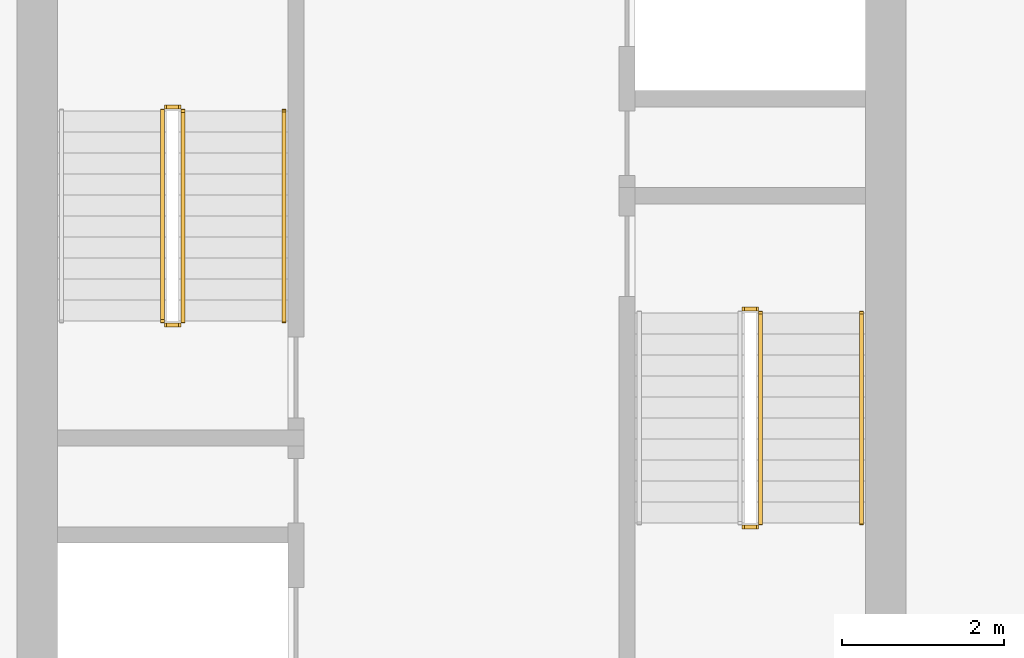
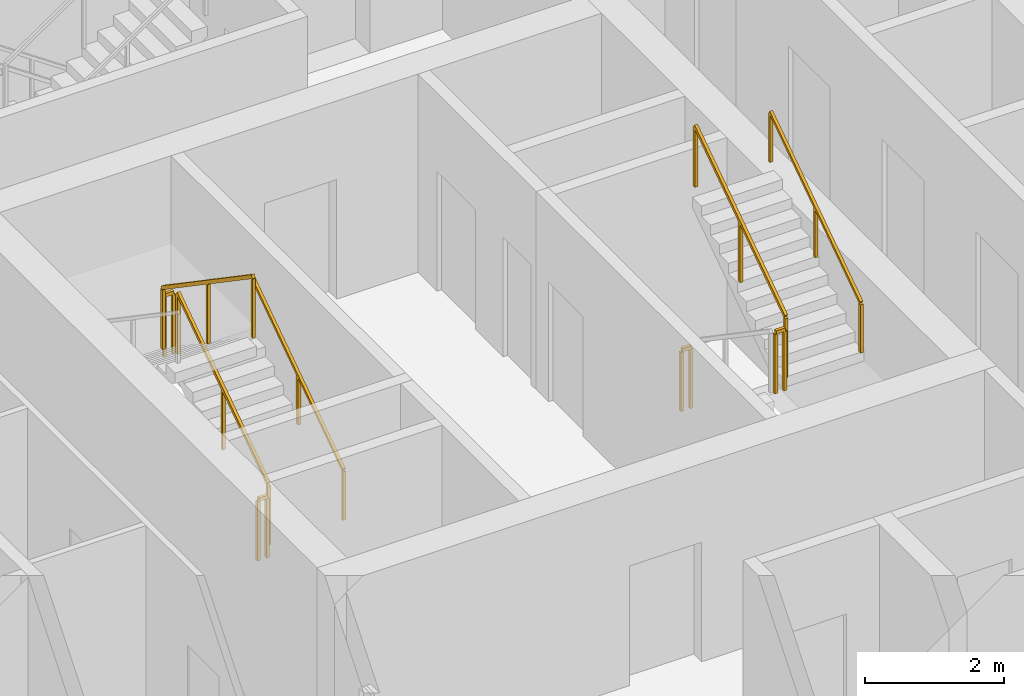
# One storey, part 13 of 16: 9 railings.
"""IFC4 building model written with IfcOpenShell, lengths in metres."""

from ifc_helpers import new_model, si_unit, direction, frame, origin, origin_2d, place, context, subcontext, project, spatial, rectangle, extrude, material, type_object, element, save


model = new_model("IFC4")

# Units and contexts
model_context = context("Model", 3, precision=1e-05, world=origin(), true_north=direction((0.0, 1.0)))
body_context = subcontext(model_context, "Body", "Model", "MODEL_VIEW")
ifc_project = project(units=[si_unit("LENGTHUNIT", "METRE"), si_unit("AREAUNIT", "SQUARE_METRE"), si_unit("VOLUMEUNIT", "CUBIC_METRE"), si_unit("PLANEANGLEUNIT", "RADIAN"), si_unit("MASSUNIT", "GRAM", prefix="KILO")], contexts=[model_context])

# Site, building, storey
site_placement = place(None, origin())
site = spatial("IfcSite", under=ifc_project, at=site_placement, CompositionType="ELEMENT")
building_placement = place(site_placement, origin())
building = spatial("IfcBuilding", under=site, at=building_placement, Name="Khepri Terraces", CompositionType="ELEMENT")
storey_placement = place(building_placement, frame((0.0, 0.0, 153.300048828125)))
storey = spatial("IfcBuildingStorey", under=building, at=storey_placement, Name="L36", CompositionType="ELEMENT", Elevation=153.300048828125)

# Railings
ifc_material = material(Name="Stainless steel 316", Category="steel")
railing_type_1 = type_object("IfcRailingType", Name="RL-CORE-GUARD", PredefinedType="GUARDRAIL", material=ifc_material)
railing_1_placement = place(storey_placement, frame((-3.449951171875, -0.050048828125, 0.17724609375)))
element("IfcRailing", 1, at=railing_1_placement, inside=storey, type_object=railing_type_1, Name="L36 ST-1 stair guard 1", PredefinedType="GUARDRAIL", context=body_context, shape_type="SweptSolid", body=[
    extrude(rectangle(XDim=0.050048828125, YDim=0.06005859375, at=origin_2d()), frame((0.0, 0.0, 1.070068359375), z_axis=(0.0, 0.826240473404, 0.563317565952), x_axis=(-1.0, 0.0, 0.0)), (0.0, 0.0, 1.0), 3.14697265625),
    extrude(rectangle(XDim=0.050048828125, YDim=0.050048828125, at=origin_2d()), origin(), (0.0, 0.0, 1.0), 1.0400390625),
    extrude(rectangle(XDim=0.050048828125, YDim=0.050048828125, at=origin_2d()), frame((0.0, 1.300048828125, 0.88623046875)), (0.0, 0.0, 1.0), 1.0400390625),
    extrude(rectangle(XDim=0.050048828125, YDim=0.050048828125, at=origin_2d()), frame((0.0, 2.60009765625, 1.772705078125)), (0.0, 0.0, 1.0), 1.0400390625),
])
railing_2_placement = place(storey_placement, frame((-3.5, 2.60009765625, 1.949951171875)))
element("IfcRailing", 2, at=railing_2_placement, inside=storey, type_object=railing_type_1, Name="L36 ST-1 stair guard 2", PredefinedType="GUARDRAIL", context=body_context, shape_type="SweptSolid", body=[
    extrude(rectangle(XDim=0.050048828125, YDim=0.06005859375, at=origin_2d()), frame((0.0, 0.0, 1.070068359375), z_axis=(-1.0, 0.0, 0.0), x_axis=(0.0, -1.0, 0.0)), (0.0, 0.0, 1.0), 0.14990234375),
    extrude(rectangle(XDim=0.050048828125, YDim=0.050048828125, at=origin_2d()), origin(), (0.0, 0.0, 1.0), 1.0400390625),
    extrude(rectangle(XDim=0.050048828125, YDim=0.050048828125, at=origin_2d()), frame((-0.14990234375, 0.0, 0.0)), (0.0, 0.0, 1.0), 1.0400390625),
])
railing_3_placement = place(storey_placement, frame((-3.699951171875, 2.550048828125, 2.127197265625)))
element("IfcRailing", 3, at=railing_3_placement, inside=storey, type_object=railing_type_1, Name="L36 ST-1 stair guard 3", PredefinedType="GUARDRAIL", context=body_context, shape_type="SweptSolid", body=[
    extrude(rectangle(XDim=0.050048828125, YDim=0.06005859375, at=origin_2d()), frame((0.0, 0.0, 1.070068359375), z_axis=(0.0, -0.826240473404, 0.563317565952), x_axis=(1.0, 0.0, 0.0)), (0.0, 0.0, 1.0), 3.14697265625),
    extrude(rectangle(XDim=0.050048828125, YDim=0.050048828125, at=origin_2d()), origin(), (0.0, 0.0, 1.0), 1.0400390625),
    extrude(rectangle(XDim=0.050048828125, YDim=0.050048828125, at=origin_2d()), frame((0.0, -1.300048828125, 0.88623046875)), (0.0, 0.0, 1.0), 1.0400390625),
    extrude(rectangle(XDim=0.050048828125, YDim=0.050048828125, at=origin_2d()), frame((0.0, -2.60009765625, 1.772705078125)), (0.0, 0.0, 1.0), 1.0400390625),
])
railing_4_placement = place(storey_placement, frame((-3.5, -0.10009765625, 0.0)))
element("IfcRailing", 4, at=railing_4_placement, inside=storey, type_object=railing_type_1, Name="L36 ST-1 stair guard 4", PredefinedType="GUARDRAIL", context=body_context, shape_type="SweptSolid", body=[
    extrude(rectangle(XDim=0.050048828125, YDim=0.06005859375, at=origin_2d()), frame((0.0, 0.0, 1.070068359375), z_axis=(-1.0, 0.0, 0.0), x_axis=(0.0, -1.0, 0.0)), (0.0, 0.0, 1.0), 0.14990234375),
    extrude(rectangle(XDim=0.050048828125, YDim=0.050048828125, at=origin_2d()), origin(), (0.0, 0.0, 1.0), 1.0400390625),
    extrude(rectangle(XDim=0.050048828125, YDim=0.050048828125, at=origin_2d()), frame((-0.14990234375, 0.0, 0.0)), (0.0, 0.0, 1.0), 1.0400390625),
])
railing_5_placement = place(storey_placement, frame((3.5, -2.60009765625, 1.949951171875)))
element("IfcRailing", 5, at=railing_5_placement, inside=storey, type_object=railing_type_1, Name="L36 ST-2 stair guard 2", PredefinedType="GUARDRAIL", context=body_context, shape_type="SweptSolid", body=[
    extrude(rectangle(XDim=0.050048828125, YDim=0.06005859375, at=origin_2d()), frame((0.0, 0.0, 1.070068359375), z_axis=(1.0, 0.0, 0.0), x_axis=(0.0, 1.0, 0.0)), (0.0, 0.0, 1.0), 0.14990234375),
    extrude(rectangle(XDim=0.050048828125, YDim=0.050048828125, at=origin_2d()), origin(), (0.0, 0.0, 1.0), 1.0400390625),
    extrude(rectangle(XDim=0.050048828125, YDim=0.050048828125, at=origin_2d()), frame((0.14990234375, 0.0, 0.0)), (0.0, 0.0, 1.0), 1.0400390625),
])
railing_6_placement = place(storey_placement, frame((3.699951171875, -2.550048828125, 2.127197265625)))
element("IfcRailing", 6, at=railing_6_placement, inside=storey, type_object=railing_type_1, Name="L36 ST-2 stair guard 3", PredefinedType="GUARDRAIL", context=body_context, shape_type="SweptSolid", body=[
    extrude(rectangle(XDim=0.050048828125, YDim=0.06005859375, at=origin_2d()), frame((0.0, 0.0, 1.070068359375), z_axis=(0.0, 0.826240473404, 0.563317565952), x_axis=(-1.0, 0.0, 0.0)), (0.0, 0.0, 1.0), 3.14697265625),
    extrude(rectangle(XDim=0.050048828125, YDim=0.050048828125, at=origin_2d()), origin(), (0.0, 0.0, 1.0), 1.0400390625),
    extrude(rectangle(XDim=0.050048828125, YDim=0.050048828125, at=origin_2d()), frame((0.0, 1.300048828125, 0.88623046875)), (0.0, 0.0, 1.0), 1.0400390625),
    extrude(rectangle(XDim=0.050048828125, YDim=0.050048828125, at=origin_2d()), frame((0.0, 2.60009765625, 1.772705078125)), (0.0, 0.0, 1.0), 1.0400390625),
])
railing_7_placement = place(storey_placement, frame((3.5, 0.10009765625, 0.0)))
element("IfcRailing", 7, at=railing_7_placement, inside=storey, type_object=railing_type_1, Name="L36 ST-2 stair guard 4", PredefinedType="GUARDRAIL", context=body_context, shape_type="SweptSolid", body=[
    extrude(rectangle(XDim=0.050048828125, YDim=0.06005859375, at=origin_2d()), frame((0.0, 0.0, 1.070068359375), z_axis=(1.0, 0.0, 0.0), x_axis=(0.0, 1.0, 0.0)), (0.0, 0.0, 1.0), 0.14990234375),
    extrude(rectangle(XDim=0.050048828125, YDim=0.050048828125, at=origin_2d()), origin(), (0.0, 0.0, 1.0), 1.0400390625),
    extrude(rectangle(XDim=0.050048828125, YDim=0.050048828125, at=origin_2d()), frame((0.14990234375, 0.0, 0.0)), (0.0, 0.0, 1.0), 1.0400390625),
])
railing_type_2 = type_object("IfcRailingType", Name="RL-CORE-HANDRAIL", PredefinedType="HANDRAIL", material=ifc_material)
for number, where, name in (
    (8, (-2.199951171875, -0.050048828125, 0.17724609375), "L36 ST-1 stair handrail 1"),
    (9, (4.949951171875, -2.550048828125, 2.127197265625), "L36 ST-2 stair handrail 2"),
):
    element("IfcRailing", number, at=place(storey_placement, frame(where)), inside=storey, type_object=railing_type_2, Name=name, PredefinedType="HANDRAIL", context=body_context, shape_type="SweptSolid", body=[
        extrude(rectangle(XDim=0.050048828125, YDim=0.050048828125, at=origin_2d()), frame((0.0, 0.0, 0.875), z_axis=(0.0, 0.826240473404, 0.563317565952), x_axis=(-1.0, 0.0, 0.0)), (0.0, 0.0, 1.0), 3.14697265625),
        extrude(rectangle(XDim=0.050048828125, YDim=0.050048828125, at=origin_2d()), origin(), (0.0, 0.0, 1.0), 0.849853515625),
        extrude(rectangle(XDim=0.050048828125, YDim=0.050048828125, at=origin_2d()), frame((0.0, 1.300048828125, 0.88623046875)), (0.0, 0.0, 1.0), 0.849853515625),
        extrude(rectangle(XDim=0.050048828125, YDim=0.050048828125, at=origin_2d()), frame((0.0, 2.60009765625, 1.772705078125)), (0.0, 0.0, 1.0), 0.849853515625),
    ])

save(model, "model.ifc")
